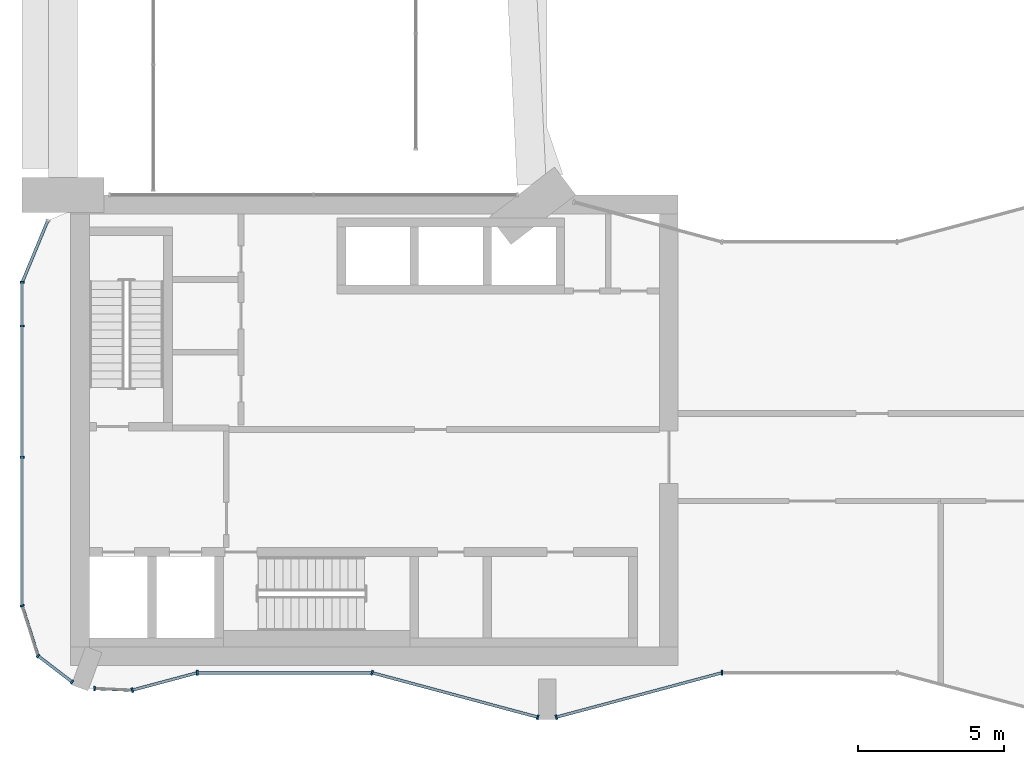
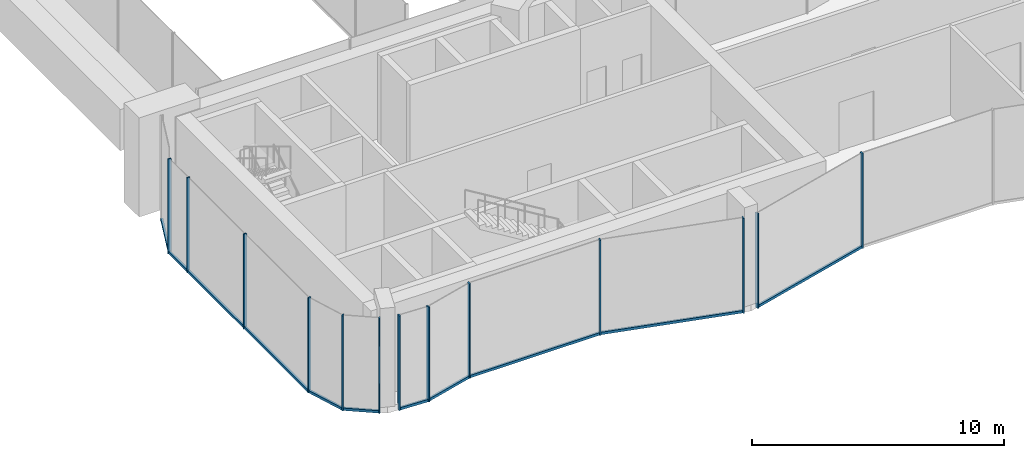
# One storey, part 2 of 13: 22 members, 10 elements without a shape of their own.
"""IFC4 building model written with IfcOpenShell, lengths in metres."""

from ifc_helpers import new_model, si_unit, direction, frame, origin, origin_2d, place, context, subcontext, project, spatial, rectangle, extrude, material, layer, layer_set, material_profile, profile_set, type_object, element, aggregate, save


model = new_model("IFC4")

# Units and contexts
model_context = context("Model", 3, precision=1e-05, world=origin(), true_north=direction((0.0, 1.0)))
body_context = subcontext(model_context, "Body", "Model", "MODEL_VIEW")
ifc_project = project(units=[si_unit("LENGTHUNIT", "METRE"), si_unit("AREAUNIT", "SQUARE_METRE"), si_unit("VOLUMEUNIT", "CUBIC_METRE"), si_unit("PLANEANGLEUNIT", "RADIAN"), si_unit("MASSUNIT", "GRAM", prefix="KILO")], contexts=[model_context])

# Site, building, storey
site_placement = place(None, origin())
site = spatial("IfcSite", under=ifc_project, at=site_placement, CompositionType="ELEMENT")
building_placement = place(site_placement, origin())
building = spatial("IfcBuilding", under=site, at=building_placement, Name="Plateau Cross Towers", CompositionType="ELEMENT")
storey_placement = place(building_placement, frame((0.0, 0.0, 134.60009765625)))
storey = spatial("IfcBuildingStorey", under=building, at=storey_placement, Name="L34", CompositionType="ELEMENT", Elevation=134.60009765625)

# Curtain wall, members
ifc_material_1 = material(Name="Dark low-iron glass", Category="glass")
ifc_layer_1 = layer(ifc_material_1, 0.239990234375)
ifc_layer_set_1 = layer_set([ifc_layer_1], Name="Dark low-iron glass")
curtain_wall_type_1 = type_object("IfcCurtainWallType", Name="Curtain wall flush unitised CW-B", PredefinedType="NOTDEFINED", material=ifc_layer_set_1)
curtain_wall_1_placement = place(storey_placement, origin())
curtain_wall_1 = element("IfcCurtainWall", 1, at=curtain_wall_1_placement, inside=storey, type_object=curtain_wall_type_1, Name="ENV/A/L34/A0_150", PredefinedType="NOTDEFINED")
ifc_material_2 = material(Name="Black anodised aluminium", Category="aluminium")
ifc_material_profile_1 = material_profile(ifc_material_2, rectangle(XDim=0.06005859375, YDim=0.139892578125, at=origin_2d()), Name="MULLION 60x140")
ifc_profile_set_1 = profile_set([ifc_material_profile_1], Name="Black anodised aluminium")
member_type_1 = type_object("IfcMemberType", Name="Mullion 60x140 flush unitised", PredefinedType="MULLION", material=ifc_profile_set_1)
member_1_placement = place(storey_placement, frame((0.0, 15.0, -0.300048828125), z_axis=(0.0, 0.0, 1.0), x_axis=(0.0, -1.0, 0.0)))
member_1 = element("IfcMember", 2, at=member_1_placement, type_object=member_type_1, Name="CW-B mullion 1", PredefinedType="MULLION", context=body_context, shape_type="SweptSolid", body=[
    extrude(rectangle(XDim=0.06005859375, YDim=0.139892578125, at=origin_2d()), origin(), (0.0, 0.0, 1.0), 4.599853515625),
])
member_2_placement = place(storey_placement, frame((0.0, 13.5, -0.300048828125), z_axis=(0.0, 0.0, 1.0), x_axis=(0.0, -1.0, 0.0)))
member_2 = element("IfcMember", 3, at=member_2_placement, type_object=member_type_1, Name="CW-B mullion 2", PredefinedType="MULLION", context=body_context, shape_type="SweptSolid", body=[
    extrude(rectangle(XDim=0.06005859375, YDim=0.139892578125, at=origin_2d()), origin(), (0.0, 0.0, 1.0), 4.599853515625),
])
member_3_placement = place(storey_placement, frame((0.0, 9.0, -0.300048828125), z_axis=(0.0, 0.0, 1.0), x_axis=(0.0, -1.0, 0.0)))
member_3 = element("IfcMember", 4, at=member_3_placement, type_object=member_type_1, Name="CW-B mullion 3", PredefinedType="MULLION", context=body_context, shape_type="SweptSolid", body=[
    extrude(rectangle(XDim=0.06005859375, YDim=0.139892578125, at=origin_2d()), origin(), (0.0, 0.0, 1.0), 4.599853515625),
])

# Curtain wall, member
curtain_wall_2_placement = place(storey_placement, origin())
curtain_wall_2 = element("IfcCurtainWall", 5, at=curtain_wall_2_placement, inside=storey, type_object=curtain_wall_type_1, Name="ENV/A/L34/A0_39", PredefinedType="NOTDEFINED")
member_4_placement = place(storey_placement, frame((0.0, 3.9091796875, -0.300048828125), z_axis=(0.0, 0.0, 1.0), x_axis=(0.300686174994, -0.95372313811, 0.0)))
member_4 = element("IfcMember", 6, at=member_4_placement, type_object=member_type_1, Name="CW-B mullion 1", PredefinedType="MULLION", context=body_context, shape_type="SweptSolid", body=[
    extrude(rectangle(XDim=0.06005859375, YDim=0.139892578125, at=origin_2d()), origin(), (0.0, 0.0, 1.0), 4.599853515625),
])

# Curtain wall, members
curtain_wall_3_placement = place(storey_placement, origin())
curtain_wall_3 = element("IfcCurtainWall", 7, at=curtain_wall_3_placement, inside=storey, type_object=curtain_wall_type_1, Name="ENV/A/L34/A5_22", PredefinedType="NOTDEFINED")
member_5_placement = place(storey_placement, frame((0.54248046875, 2.1884765625, -0.300048828125), z_axis=(0.0, 0.0, 1.0), x_axis=(0.793315514529, -0.608810721331, 0.0)))
member_5 = element("IfcMember", 8, at=member_5_placement, type_object=member_type_1, Name="CW-B mullion 1", PredefinedType="MULLION", context=body_context, shape_type="SweptSolid", body=[
    extrude(rectangle(XDim=0.06005859375, YDim=0.139892578125, at=origin_2d()), origin(), (0.0, 0.0, 1.0), 4.599853515625),
])
member_6_placement = place(storey_placement, frame((1.709716796875, 1.292724609375, -0.300048828125), z_axis=(0.0, 0.0, 1.0), x_axis=(0.793315514529, -0.608810721331, 0.0)))
member_6 = element("IfcMember", 9, at=member_6_placement, type_object=member_type_1, Name="CW-B mullion 2", PredefinedType="MULLION", context=body_context, shape_type="SweptSolid", body=[
    extrude(rectangle(XDim=0.06005859375, YDim=0.139892578125, at=origin_2d()), origin(), (0.0, 0.0, 1.0), 4.599853515625),
])

# Curtain wall, member
curtain_wall_4_placement = place(storey_placement, origin())
curtain_wall_4 = element("IfcCurtainWall", 10, at=curtain_wall_4_placement, inside=storey, type_object=curtain_wall_type_1, Name="ENV/A/L34/A25_11", PredefinedType="NOTDEFINED")
member_7_placement = place(storey_placement, frame((2.483642578125, 1.06787109375, -0.300048828125), z_axis=(0.0, 0.0, 1.0), x_axis=(0.999043701491, -0.043722791671, 0.0)))
member_7 = element("IfcMember", 11, at=member_7_placement, type_object=member_type_1, Name="CW-B mullion 1", PredefinedType="MULLION", context=body_context, shape_type="SweptSolid", body=[
    extrude(rectangle(XDim=0.06005859375, YDim=0.139892578125, at=origin_2d()), origin(), (0.0, 0.0, 1.0), 4.599853515625),
])

ifc_layer_2 = layer(ifc_material_1, 0.260009765625)
ifc_layer_set_2 = layer_set([ifc_layer_2], Name="Dark low-iron glass")
curtain_wall_type_2 = type_object("IfcCurtainWallType", Name="Curtain wall fluted unitised CW-A", PredefinedType="NOTDEFINED", material=ifc_layer_set_2)
curtain_wall_5_placement = place(storey_placement, origin())
curtain_wall_5 = element("IfcCurtainWall", 12, at=curtain_wall_5_placement, inside=storey, type_object=curtain_wall_type_2, Name="ENV/A/L34/A38_10", PredefinedType="NOTDEFINED")
ifc_material_profile_2 = material_profile(ifc_material_2, rectangle(XDim=0.06005859375, YDim=0.159912109375, at=origin_2d()), Name="MULLION 60x160")
ifc_profile_set_2 = profile_set([ifc_material_profile_2], Name="Black anodised aluminium")
member_type_2 = type_object("IfcMemberType", Name="Mullion 60x160 fluted unitised", PredefinedType="MULLION", material=ifc_profile_set_2)
member_8_placement = place(storey_placement, frame((3.776123046875, 1.01123046875, -0.300048828125), z_axis=(0.0, 0.0, 1.0), x_axis=(0.965957962328, 0.258699081978, 0.0)))
member_8 = element("IfcMember", 13, at=member_8_placement, type_object=member_type_2, Name="CW-A mullion 1", PredefinedType="MULLION", context=body_context, shape_type="SweptSolid", body=[
    extrude(rectangle(XDim=0.06005859375, YDim=0.159912109375, at=origin_2d()), origin(), (0.0, 0.0, 1.0), 4.599853515625),
])

curtain_wall_6_placement = place(storey_placement, origin())
curtain_wall_6 = element("IfcCurtainWall", 14, at=curtain_wall_6_placement, inside=storey, type_object=curtain_wall_type_2, Name="ENV/A/L34/A60_16", PredefinedType="NOTDEFINED")
member_9_placement = place(storey_placement, frame((6.0, 1.60693359375, -0.300048828125), z_axis=(0.0, 0.0, 1.0), x_axis=(1.0, 0.0, 0.0)))
member_9 = element("IfcMember", 15, at=member_9_placement, type_object=member_type_2, Name="CW-A mullion 1", PredefinedType="MULLION", context=body_context, shape_type="SweptSolid", body=[
    extrude(rectangle(XDim=0.06005859375, YDim=0.159912109375, at=origin_2d()), origin(), (0.0, 0.0, 1.0), 4.599853515625),
])

# Curtain wall, members
curtain_wall_7_placement = place(storey_placement, origin())
curtain_wall_7 = element("IfcCurtainWall", 16, at=curtain_wall_7_placement, inside=storey, type_object=curtain_wall_type_2, Name="ENV/A/L34/A120_16", PredefinedType="NOTDEFINED")
member_10_placement = place(storey_placement, frame((12.0, 1.60693359375, -0.300048828125), z_axis=(0.0, 0.0, 1.0), x_axis=(0.965957983404, -0.258699003279, 0.0)))
member_10 = element("IfcMember", 17, at=member_10_placement, type_object=member_type_2, Name="CW-A mullion 1", PredefinedType="MULLION", context=body_context, shape_type="SweptSolid", body=[
    extrude(rectangle(XDim=0.06005859375, YDim=0.159912109375, at=origin_2d()), origin(), (0.0, 0.0, 1.0), 4.599853515625),
])
member_11_placement = place(storey_placement, frame((17.68212890625, 0.085205078125, -0.300048828125), z_axis=(0.0, 0.0, 1.0), x_axis=(0.965957983404, -0.258699003279, 0.0)))
member_11 = element("IfcMember", 18, at=member_11_placement, type_object=member_type_2, Name="CW-A mullion 2", PredefinedType="MULLION", context=body_context, shape_type="SweptSolid", body=[
    extrude(rectangle(XDim=0.06005859375, YDim=0.159912109375, at=origin_2d()), origin(), (0.0, 0.0, 1.0), 4.599853515625),
])

# Curtain wall, member
curtain_wall_8_placement = place(storey_placement, origin())
curtain_wall_8 = element("IfcCurtainWall", 19, at=curtain_wall_8_placement, inside=storey, type_object=curtain_wall_type_2, Name="ENV/A/L34/A183_1", PredefinedType="NOTDEFINED")
member_12_placement = place(storey_placement, frame((18.31787109375, 0.085205078125, -0.300048828125), z_axis=(0.0, 0.0, 1.0), x_axis=(0.965957983404, 0.258699003279, 0.0)))
member_12 = element("IfcMember", 20, at=member_12_placement, type_object=member_type_2, Name="CW-A mullion 1", PredefinedType="MULLION", context=body_context, shape_type="SweptSolid", body=[
    extrude(rectangle(XDim=0.06005859375, YDim=0.159912109375, at=origin_2d()), origin(), (0.0, 0.0, 1.0), 4.599853515625),
])

curtain_wall_9_placement = place(storey_placement, origin())
curtain_wall_9 = element("IfcCurtainWall", 21, at=curtain_wall_9_placement, inside=storey, type_object=curtain_wall_type_2, Name="ENV/A/L34/A240_16", PredefinedType="NOTDEFINED")
member_13_placement = place(storey_placement, frame((24.0, 1.60693359375, -0.300048828125), z_axis=(0.0, 0.0, 1.0), x_axis=(1.0, 0.0, 0.0)))
member_13 = element("IfcMember", 22, at=member_13_placement, type_object=member_type_2, Name="CW-A mullion 1", PredefinedType="MULLION", context=body_context, shape_type="SweptSolid", body=[
    extrude(rectangle(XDim=0.06005859375, YDim=0.159912109375, at=origin_2d()), origin(), (0.0, 0.0, 1.0), 4.599853515625),
])
aggregate(curtain_wall_9, [member_13])

curtain_wall_10_placement = place(storey_placement, origin())
curtain_wall_10 = element("IfcCurtainWall", 23, at=curtain_wall_10_placement, inside=storey, type_object=curtain_wall_type_1, Name="ENV/A/L34/A9_171", PredefinedType="NOTDEFINED")
ifc_material_profile_3 = material_profile(ifc_material_2, rectangle(XDim=0.10009765625, YDim=0.1201171875, at=origin_2d()), Name="TRANSOM 100x120")
ifc_profile_set_3 = profile_set([ifc_material_profile_3], Name="Black anodised aluminium")
member_type_3 = type_object("IfcMemberType", Name="Transom 100x120 flush unitised", PredefinedType="USERDEFINED", material=ifc_profile_set_3)
member_14_placement = place(storey_placement, frame((0.878662109375, 17.121337890625, -0.239990234375), z_axis=(-0.382674207535, -0.923883353507, 0.0), x_axis=(0.923883353507, -0.382674207535, 0.0)))
member_14 = element("IfcMember", 24, at=member_14_placement, type_object=member_type_3, Name="CW-B transom", ObjectType="TRANSOM", PredefinedType="USERDEFINED", context=body_context, shape_type="SweptSolid", body=[
    extrude(rectangle(XDim=0.10009765625, YDim=0.1201171875, at=origin_2d()), origin(), (0.0, 0.0, 1.0), 2.296142578125),
])
aggregate(curtain_wall_10, [member_14])

# Member
member_15_placement = place(storey_placement, frame((0.0, 15.0, -0.239990234375), z_axis=(0.0, -1.0, 0.0), x_axis=(1.0, 0.0, 0.0)))
member_15 = element("IfcMember", 25, at=member_15_placement, type_object=member_type_3, Name="CW-B transom", ObjectType="TRANSOM", PredefinedType="USERDEFINED", context=body_context, shape_type="SweptSolid", body=[
    extrude(rectangle(XDim=0.10009765625, YDim=0.1201171875, at=origin_2d()), origin(), (0.0, 0.0, 1.0), 11.0908203125),
])

aggregate(curtain_wall_1, [member_1, member_2, member_3, member_15])

member_16_placement = place(storey_placement, frame((0.0, 3.9091796875, -0.239990234375), z_axis=(0.30067799945, -0.953725715626, 0.0), x_axis=(0.953725715626, 0.30067799945, 0.0)))
member_16 = element("IfcMember", 26, at=member_16_placement, type_object=member_type_3, Name="CW-B transom", ObjectType="TRANSOM", PredefinedType="USERDEFINED", context=body_context, shape_type="SweptSolid", body=[
    extrude(rectangle(XDim=0.10009765625, YDim=0.1201171875, at=origin_2d()), origin(), (0.0, 0.0, 1.0), 1.80419921875),
])

aggregate(curtain_wall_2, [member_4, member_16])

member_17_placement = place(storey_placement, frame((0.54248046875, 2.1884765625, -0.239990234375), z_axis=(0.793320508571, -0.608804213751, 0.0), x_axis=(0.608804213751, 0.793320508571, 0.0)))
member_17 = element("IfcMember", 27, at=member_17_placement, type_object=member_type_3, Name="CW-B transom", ObjectType="TRANSOM", PredefinedType="USERDEFINED", context=body_context, shape_type="SweptSolid", body=[
    extrude(rectangle(XDim=0.10009765625, YDim=0.1201171875, at=origin_2d()), origin(), (0.0, 0.0, 1.0), 1.471435546875),
])

aggregate(curtain_wall_3, [member_5, member_6, member_17])

member_18_placement = place(storey_placement, frame((2.483642578125, 1.06787109375, -0.239990234375), z_axis=(0.999041144614, -0.043781175963, 0.0), x_axis=(0.043781175963, 0.999041144614, 0.0)))
member_18 = element("IfcMember", 28, at=member_18_placement, type_object=member_type_3, Name="CW-B transom", ObjectType="TRANSOM", PredefinedType="USERDEFINED", context=body_context, shape_type="SweptSolid", body=[
    extrude(rectangle(XDim=0.10009765625, YDim=0.1201171875, at=origin_2d()), origin(), (0.0, 0.0, 1.0), 1.293701171875),
])

aggregate(curtain_wall_4, [member_7, member_18])

ifc_material_profile_4 = material_profile(ifc_material_2, rectangle(XDim=0.10009765625, YDim=0.1201171875, at=origin_2d()), Name="TRANSOM 100x120")
ifc_profile_set_4 = profile_set([ifc_material_profile_4], Name="Black anodised aluminium")
member_type_4 = type_object("IfcMemberType", Name="Transom 100x120 fluted unitised", PredefinedType="USERDEFINED", material=ifc_profile_set_4)
member_19_placement = place(storey_placement, frame((3.776123046875, 1.01123046875, -0.239990234375), z_axis=(0.965945685136, 0.258744919501, 0.0), x_axis=(-0.258744919501, 0.965945685136, 0.0)))
member_19 = element("IfcMember", 29, at=member_19_placement, type_object=member_type_4, Name="CW-A transom", ObjectType="TRANSOM", PredefinedType="USERDEFINED", context=body_context, shape_type="SweptSolid", body=[
    extrude(rectangle(XDim=0.10009765625, YDim=0.1201171875, at=origin_2d()), origin(), (0.0, 0.0, 1.0), 2.30224609375),
])

aggregate(curtain_wall_5, [member_8, member_19])

member_20_placement = place(storey_placement, frame((6.0, 1.60693359375, -0.239990234375), z_axis=(1.0, 0.0, 0.0), x_axis=(0.0, 1.0, 0.0)))
member_20 = element("IfcMember", 30, at=member_20_placement, type_object=member_type_4, Name="CW-A transom", ObjectType="TRANSOM", PredefinedType="USERDEFINED", context=body_context, shape_type="SweptSolid", body=[
    extrude(rectangle(XDim=0.10009765625, YDim=0.1201171875, at=origin_2d()), origin(), (0.0, 0.0, 1.0), 6.0),
])

aggregate(curtain_wall_6, [member_9, member_20])

member_21_placement = place(storey_placement, frame((12.0, 1.60693359375, -0.239990234375), z_axis=(0.965959534794, -0.258693210465, 0.0), x_axis=(0.258693210465, 0.965959534794, 0.0)))
member_21 = element("IfcMember", 31, at=member_21_placement, type_object=member_type_4, Name="CW-A transom", ObjectType="TRANSOM", PredefinedType="USERDEFINED", context=body_context, shape_type="SweptSolid", body=[
    extrude(rectangle(XDim=0.10009765625, YDim=0.1201171875, at=origin_2d()), origin(), (0.0, 0.0, 1.0), 5.88232421875),
])

aggregate(curtain_wall_7, [member_10, member_11, member_21])

member_22_placement = place(storey_placement, frame((18.31787109375, 0.085205078125, -0.239990234375), z_axis=(0.965959534794, 0.258693210465, 0.0), x_axis=(-0.258693210465, 0.965959534794, 0.0)))
member_22 = element("IfcMember", 32, at=member_22_placement, type_object=member_type_4, Name="CW-A transom", ObjectType="TRANSOM", PredefinedType="USERDEFINED", context=body_context, shape_type="SweptSolid", body=[
    extrude(rectangle(XDim=0.10009765625, YDim=0.1201171875, at=origin_2d()), origin(), (0.0, 0.0, 1.0), 5.88232421875),
])

aggregate(curtain_wall_8, [member_12, member_22])

save(model, "model.ifc")
